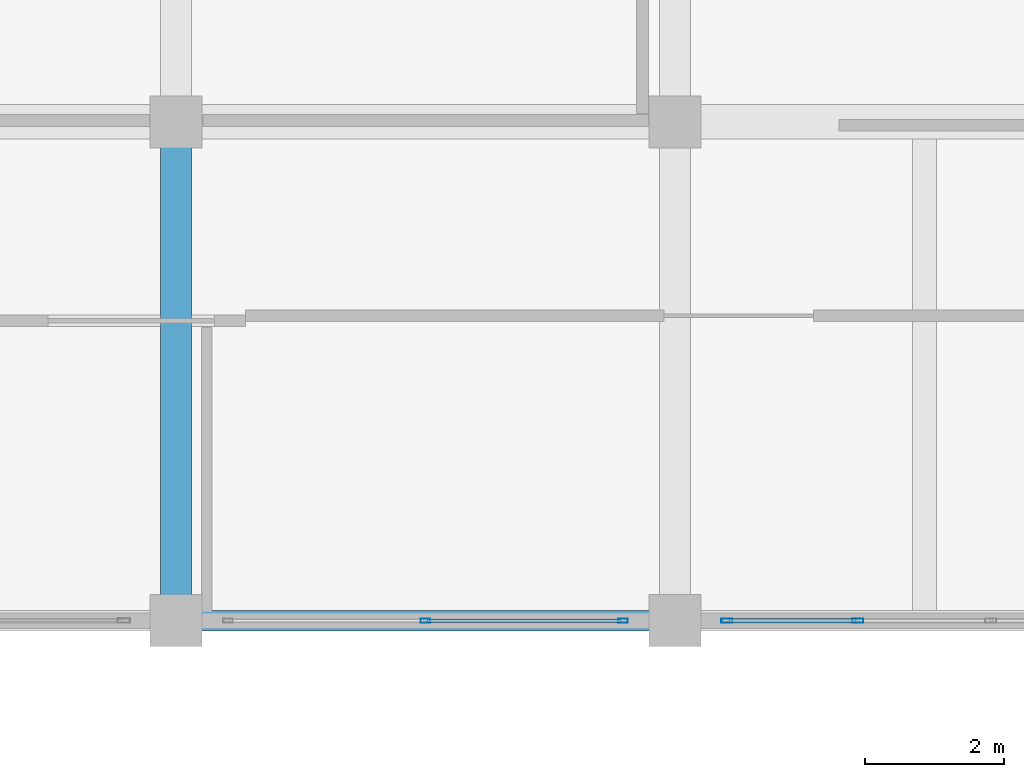
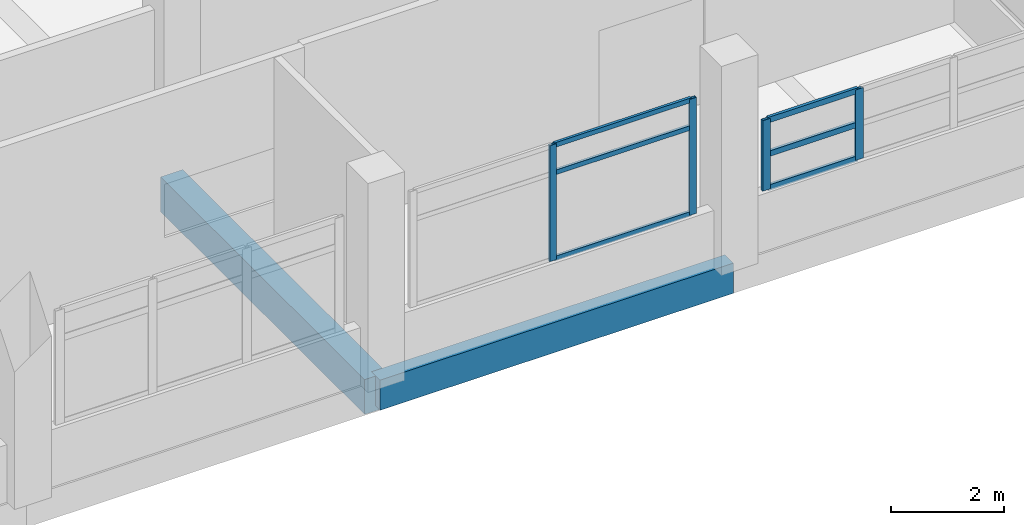
# One storey, part 35 of 141: 10 members, 2 beams, 2 elements without a shape of their own.
"""IFC4 building model written with IfcOpenShell, lengths in metres."""

import ifcopenshell
import ifcopenshell.guid

model = None  # the IFC model being written
_history = None  # IfcOwnerHistory: only IFC2X3 demands one
_inside = {}  # id of a spatial element -> (the spatial element, [elements in it])
_under = {}  # id of a project, library or spatial element -> (it, [spatial elements below it])
_declared = {}  # id of a project -> (the project, [libraries it declares])
_typed = {}  # id of a type object -> (the type object, [elements of that type])
_made_of = {}  # id of a material, layer set ... -> (it, [elements and type objects made of it])


def new_model(schema):
    """Start an empty IFC model of exactly this schema.

    Asked for "IFC4X3", IfcOpenShell would pick the latest addendum, in which some entities
    have other attributes; the version numbers below select the first issue.
    IFC2X3 requires an IfcOwnerHistory on every rooted entity: one is made here for all.
    """
    global model, _history
    if schema == "IFC4X3":
        model = ifcopenshell.file(schema_version=(4, 3, 0, 0))
    else:
        model = ifcopenshell.file(schema=schema)
    _inside.clear()
    _under.clear()
    _declared.clear()
    _typed.clear()
    _made_of.clear()
    _history = None
    if model.schema == "IFC2X3":
        org = make("IfcOrganization", Name="unknown")
        user = make(
            "IfcPersonAndOrganization",
            ThePerson=make("IfcPerson", FamilyName="unknown"),
            TheOrganization=org,
        )
        app = make(
            "IfcApplication",
            ApplicationDeveloper=org,
            Version="unknown",
            ApplicationFullName="unknown",
            ApplicationIdentifier="unknown",
        )
        _history = make(
            "IfcOwnerHistory",
            OwningUser=user,
            OwningApplication=app,
            ChangeAction="ADDED",
            CreationDate=0,
        )
    return model


def make(cls, **values):
    """One entity of the class cls with the attributes given. An attribute that is None is left unset."""
    return model.create_entity(
        cls, **{name: value for name, value in values.items() if value is not None}
    )


def rooted(cls, **values):
    """An entity with a GlobalId (a new one), such as an element, a storey or a relation."""
    return make(cls, GlobalId=ifcopenshell.guid.new(), OwnerHistory=_history, **values)


def si_unit(unit_type, name, prefix=None):
    """IfcSIUnit, for example si_unit("LENGTHUNIT", "METRE", prefix="MILLI")."""
    return make("IfcSIUnit", UnitType=unit_type, Prefix=prefix, Name=name)


def assignment(units):
    """IfcUnitAssignment: the units of a project."""
    return None if units is None else make("IfcUnitAssignment", Units=units)


def point(xyz):
    """IfcCartesianPoint."""
    return None if xyz is None else make("IfcCartesianPoint", Coordinates=xyz)


def direction(xyz):
    """IfcDirection."""
    return None if xyz is None else make("IfcDirection", DirectionRatios=xyz)


def frame(location, z_axis=None, x_axis=None):
    """IfcAxis2Placement3D, a coordinate frame: its origin and axes. An axis left out is left unset."""
    return make(
        "IfcAxis2Placement3D",
        Location=point(location),
        Axis=direction(z_axis),
        RefDirection=direction(x_axis),
    )


def frame_2d(location, x_axis=None):
    """IfcAxis2Placement2D, a coordinate frame in the plane: its origin and x axis."""
    return make(
        "IfcAxis2Placement2D", Location=point(location), RefDirection=direction(x_axis)
    )


def origin():
    """The frame at (0, 0, 0) with its axes left unset."""
    return frame((0.0, 0.0, 0.0))


def origin_2d():
    """The frame at (0, 0) in the plane with its x axis left unset."""
    return frame_2d((0.0, 0.0))


def place(relative_to, where):
    """IfcLocalPlacement: puts the frame where relative to a parent placement (None: the world)."""
    return make(
        "IfcLocalPlacement", PlacementRelTo=relative_to, RelativePlacement=where
    )


def context(
    kind, dimensions, precision=None, world=None, true_north=None, identifier=None
):
    """IfcGeometricRepresentationContext, for example the 3D "Model" context."""
    return make(
        "IfcGeometricRepresentationContext",
        ContextIdentifier=identifier,
        ContextType=kind,
        CoordinateSpaceDimension=dimensions,
        Precision=precision,
        WorldCoordinateSystem=world,
        TrueNorth=true_north,
    )


def subcontext(parent, identifier, kind, view, scale=None):
    """IfcGeometricRepresentationSubContext, for example "Body" below "Model"."""
    return make(
        "IfcGeometricRepresentationSubContext",
        ContextIdentifier=identifier,
        ContextType=kind,
        ParentContext=parent,
        TargetScale=scale,
        TargetView=view,
    )


def project(units=None, contexts=None):
    """IfcProject with its units and contexts."""
    return rooted(
        "IfcProject",
        Name="project",
        RepresentationContexts=contexts,
        UnitsInContext=assignment(units),
    )


def spatial(cls, under=None, at=None, **own):
    """A site, building, storey or space (cls), placed at a placement, below another one or the project."""
    s = rooted(cls, ObjectPlacement=at, **own)
    if under is not None:
        _under.setdefault(under.id(), (under, []))[1].append(s)
    return s


def profile(cls, at=None, kind="AREA", **sizes):
    """A parametric profile (cls). Its sizes go by their IFC names, for example OverallWidth=200.0."""
    return make(cls, ProfileType=kind, Position=at, **sizes)


def rectangle(**sizes):
    """IfcRectangleProfileDef."""
    return profile("IfcRectangleProfileDef", **sizes)


def hollow_rectangle(**sizes):
    """IfcRectangleHollowProfileDef."""
    return profile("IfcRectangleHollowProfileDef", **sizes)


def extrude(swept, where, along, depth):
    """IfcExtrudedAreaSolid: the profile swept, set in the frame where, extruded along a direction by depth."""
    return make(
        "IfcExtrudedAreaSolid",
        SweptArea=swept,
        Position=where,
        ExtrudedDirection=direction(along),
        Depth=depth,
    )


def shape(context_of_items, identifier, shape_type, items):
    """IfcShapeRepresentation: the items that make up one representation, for example the "Body"."""
    return make(
        "IfcShapeRepresentation",
        ContextOfItems=context_of_items,
        RepresentationIdentifier=identifier,
        RepresentationType=shape_type,
        Items=items,
    )


def material(Name=None, Category=None):
    """IfcMaterial."""
    return make("IfcMaterial", Name=Name, Category=Category)


def layer(
    of_material, thickness, ventilated=None, Name=None, Category=None, Priority=None
):
    """IfcMaterialLayer: one layer of a wall or slab, of a material (None: an air gap)."""
    return make(
        "IfcMaterialLayer",
        Material=of_material,
        LayerThickness=thickness,
        IsVentilated=ventilated,
        Name=Name,
        Category=Category,
        Priority=Priority,
    )


def layer_set(layers, Name=None):
    """IfcMaterialLayerSet."""
    return make("IfcMaterialLayerSet", MaterialLayers=layers, LayerSetName=Name)


def material_profile(
    of_material, cross_section, Name=None, Category=None, Priority=None
):
    """IfcMaterialProfile: a cross section and its material."""
    return make(
        "IfcMaterialProfile",
        Name=Name,
        Material=of_material,
        Profile=cross_section,
        Priority=Priority,
        Category=Category,
    )


def profile_set(profiles, Name=None, composite=None):
    """IfcMaterialProfileSet."""
    return make(
        "IfcMaterialProfileSet",
        Name=Name,
        MaterialProfiles=profiles,
        CompositeProfile=composite,
    )


def made_of(thing, what):
    """Note that an element or type object is made of a material, layer set ...; save() writes the relation."""
    if what is not None:
        _made_of.setdefault(what.id(), (what, []))[1].append(thing)
    return thing


def type_object(cls, material=None, **own):
    """A type object (cls), such as IfcWallType, which elements share."""
    return made_of(rooted(cls, **own), material)


def element(
    cls,
    number,
    at=None,
    inside=None,
    cuts=None,
    type_object=None,
    material=None,
    context=None,
    identifier="Body",
    shape_type=None,
    held_by="IfcProductDefinitionShape",
    body=None,
    shapes=None,
    **own,
):
    """One element of the class cls, such as IfcWall. Its Tag is "e" and its number.

    at: its placement. inside: the storey or other place that contains it. cuts: it is an
    opening in that element (IfcRelVoidsElement). A single representation is given by context,
    identifier, shape_type and body (its items); several are given by shapes. held_by: the class
    of the entity that holds the representations. save() writes the other relations.
    """
    e = rooted(cls, Tag="e%d" % number, ObjectPlacement=at, **own)
    if body is not None:
        shapes = [shape(context, identifier, shape_type, body)]
    if shapes is not None:
        e.Representation = make(held_by, Representations=shapes)
    if inside is not None:
        _inside.setdefault(inside.id(), (inside, []))[1].append(e)
    if cuts is not None:
        rooted(
            "IfcRelVoidsElement", RelatingBuildingElement=cuts, RelatedOpeningElement=e
        )
    if type_object is not None:
        _typed.setdefault(type_object.id(), (type_object, []))[1].append(e)
    return made_of(e, material)


def aggregate(whole, parts):
    """IfcRelAggregates: a whole, such as a stair, and the parts it consists of."""
    return rooted("IfcRelAggregates", RelatingObject=whole, RelatedObjects=parts)


def save(model, path):
    """Write the relations noted so far, then the file.

    IfcRelAggregates (storeys below a building ...), IfcRelContainedInSpatialStructure (elements
    in a storey), IfcRelDefinesByType, IfcRelAssociatesMaterial and IfcRelDeclares: one each for
    every whole, place, type object, material and project.
    """
    for whole, parts in _under.values():
        aggregate(whole, parts)
    for where, things in _inside.values():
        rooted(
            "IfcRelContainedInSpatialStructure",
            RelatedElements=things,
            RelatingStructure=where,
        )
    for kind, things in _typed.values():
        rooted("IfcRelDefinesByType", RelatedObjects=things, RelatingType=kind)
    for what, things in _made_of.values():
        rooted("IfcRelAssociatesMaterial", RelatedObjects=things, RelatingMaterial=what)
    for by, libraries in _declared.values():
        rooted("IfcRelDeclares", RelatingContext=by, RelatedDefinitions=libraries)
    model.write(path)


model = new_model("IFC4")

# Units and contexts
model_context = context("Model", 3, precision=1e-05, world=origin(), true_north=direction((0.0, 1.0)))
body_context = subcontext(model_context, "Body", "Model", "MODEL_VIEW")
ifc_project = project(units=[si_unit("LENGTHUNIT", "METRE"), si_unit("AREAUNIT", "SQUARE_METRE"), si_unit("VOLUMEUNIT", "CUBIC_METRE"), si_unit("PLANEANGLEUNIT", "RADIAN"), si_unit("MASSUNIT", "GRAM", prefix="KILO")], contexts=[model_context])

# Site, building, storey
site_placement = place(None, origin())
site = spatial("IfcSite", under=ifc_project, at=site_placement, CompositionType="ELEMENT")
building_placement = place(site_placement, origin())
building = spatial("IfcBuilding", under=site, at=building_placement, Name="Seraya Terrace Polytechnic", CompositionType="ELEMENT")
storey_placement = place(building_placement, frame((0.0, 0.0, 14.39990234375)))
storey = spatial("IfcBuildingStorey", under=building, at=storey_placement, Name="L03", CompositionType="ELEMENT", Elevation=14.39990234375)

# Beam
ifc_material_1 = material(Name="Concrete C40/50", Category="concrete")
ifc_material_profile_1 = material_profile(ifc_material_1, rectangle(XDim=0.449951171875, YDim=0.75, at=origin_2d()), Name="RC 450x750")
ifc_profile_set_1 = profile_set([ifc_material_profile_1], Name="Concrete C40/50")
beam_type_1 = type_object("IfcBeamType", Name="BM-08", PredefinedType="BEAM", material=ifc_profile_set_1)
beam_1_placement = place(storey_placement, frame((100.800048828125, 0.0, -0.375), z_axis=(0.0, 1.0, 0.0), x_axis=(-1.0, 0.0, 0.0)))
element("IfcBeam", 1, at=beam_1_placement, inside=storey, type_object=beam_type_1, Name="Beam BM-08 L03 Y (100.8, 0.0..7.2)", PredefinedType="BEAM", context=body_context, shape_type="SweptSolid", body=[
    extrude(rectangle(XDim=0.449951171875, YDim=0.75, at=origin_2d()), origin(), (0.0, 0.0, 1.0), 7.199951171875),
])

# Curtain wall, members
ifc_material_2 = material(Name="Anodised aluminium EN AW-6063 T6", Category="aluminium")
ifc_layer_1 = layer(ifc_material_2, 0.179931640625, Name="CW-26")
ifc_layer_set_1 = layer_set([ifc_layer_1], Name="Anodised aluminium EN AW-6063 T6")
curtain_wall_type_1 = type_object("IfcCurtainWallType", Name="CW-26", PredefinedType="NOTDEFINED", material=ifc_layer_set_1)
curtain_wall_1_placement = place(storey_placement, origin())
curtain_wall_1 = element("IfcCurtainWall", 2, at=curtain_wall_1_placement, inside=storey, type_object=curtain_wall_type_1, Name="Unitised curtain wall CW-26 (CW-L03-098)", PredefinedType="NOTDEFINED")
ifc_material_profile_2 = material_profile(ifc_material_2, hollow_rectangle(XDim=0.06005859375, YDim=0.159912109375, WallThickness=0.00341796875, at=origin_2d()), Name="RHS 160x60x3.5")
ifc_profile_set_2 = profile_set([ifc_material_profile_2], Name="Anodised aluminium EN AW-6063 T6")
member_type_1 = type_object("IfcMemberType", Name="CWM-02", PredefinedType="MULLION", material=ifc_profile_set_2)
member_1_placement = place(storey_placement, frame((110.639892578125, 0.0, 1.239990234375), z_axis=(0.0, 0.0, 1.0), x_axis=(0.0, -1.0, 0.0)))
member_1 = element("IfcMember", 3, at=member_1_placement, type_object=member_type_1, Name="CW-26 mullion 3", PredefinedType="MULLION", context=body_context, shape_type="SweptSolid", body=[
    extrude(hollow_rectangle(XDim=0.06005859375, YDim=0.159912109375, WallThickness=0.00341796875, at=origin_2d()), origin(), (0.0, 0.0, 1.0), 1.52001953125),
])
member_2_placement = place(storey_placement, frame((108.75, 0.0, 1.239990234375), z_axis=(0.0, 0.0, 1.0), x_axis=(0.0, -1.0, 0.0)))
member_2 = element("IfcMember", 4, at=member_2_placement, type_object=member_type_1, Name="CW-26 mullion 4", PredefinedType="MULLION", context=body_context, shape_type="SweptSolid", body=[
    extrude(hollow_rectangle(XDim=0.06005859375, YDim=0.159912109375, WallThickness=0.00341796875, at=origin_2d()), origin(), (0.0, 0.0, 1.0), 1.52001953125),
])

ifc_layer_2 = layer(ifc_material_2, 0.179931640625, Name="CW-27")
ifc_layer_set_2 = layer_set([ifc_layer_2], Name="Anodised aluminium EN AW-6063 T6")
curtain_wall_type_2 = type_object("IfcCurtainWallType", Name="CW-27", PredefinedType="NOTDEFINED", material=ifc_layer_set_2)
curtain_wall_2_placement = place(storey_placement, origin())
curtain_wall_2 = element("IfcCurtainWall", 5, at=curtain_wall_2_placement, inside=storey, type_object=curtain_wall_type_2, Name="Unitised curtain wall CW-27 (CW-L03-099)", PredefinedType="NOTDEFINED")
ifc_material_profile_3 = material_profile(ifc_material_2, hollow_rectangle(XDim=0.06005859375, YDim=0.139892578125, WallThickness=0.00341796875, at=origin_2d()), Name="RHS 140x60x3.5")
ifc_profile_set_3 = profile_set([ifc_material_profile_3], Name="Anodised aluminium EN AW-6063 T6")
member_type_2 = type_object("IfcMemberType", Name="CWM-03", PredefinedType="MULLION", material=ifc_profile_set_3)
member_3_placement = place(storey_placement, frame((107.25, 0.0, 1.239990234375), z_axis=(0.0, 0.0, 1.0), x_axis=(0.0, -1.0, 0.0)))
member_3 = element("IfcMember", 6, at=member_3_placement, type_object=member_type_2, Name="CW-27 mullion 1", PredefinedType="MULLION", context=body_context, shape_type="SweptSolid", body=[
    extrude(hollow_rectangle(XDim=0.06005859375, YDim=0.139892578125, WallThickness=0.00341796875, at=origin_2d()), origin(), (0.0, 0.0, 1.0), 2.5),
])
member_4_placement = place(storey_placement, frame((104.39990234375, 0.0, 1.239990234375), z_axis=(0.0, 0.0, 1.0), x_axis=(0.0, -1.0, 0.0)))
member_4 = element("IfcMember", 7, at=member_4_placement, type_object=member_type_2, Name="CW-27 mullion 2", PredefinedType="MULLION", context=body_context, shape_type="SweptSolid", body=[
    extrude(hollow_rectangle(XDim=0.06005859375, YDim=0.139892578125, WallThickness=0.00341796875, at=origin_2d()), origin(), (0.0, 0.0, 1.0), 2.5),
])

# Member
ifc_material_profile_4 = material_profile(ifc_material_2, hollow_rectangle(XDim=0.06005859375, YDim=0.1201171875, WallThickness=0.003173828125, at=origin_2d()), Name="RHS 120x60x3.2")
ifc_profile_set_4 = profile_set([ifc_material_profile_4], Name="Anodised aluminium EN AW-6063 T6")
member_type_3 = type_object("IfcMemberType", Name="CWT-02", PredefinedType="USERDEFINED", material=ifc_profile_set_4)
member_5_placement = place(storey_placement, frame((110.610107421875, 0.0, 1.27001953125), z_axis=(-1.0, 0.0, 0.0), x_axis=(0.0, -1.0, 0.0)))
member_5 = element("IfcMember", 8, at=member_5_placement, type_object=member_type_3, Name="CW-26 transom 3.1", ObjectType="TRANSOM", PredefinedType="USERDEFINED", context=body_context, shape_type="SweptSolid", body=[
    extrude(hollow_rectangle(XDim=0.06005859375, YDim=0.1201171875, WallThickness=0.003173828125, at=origin_2d()), origin(), (0.0, 0.0, 1.0), 1.830078125),
])

member_6_placement = place(storey_placement, frame((110.610107421875, 0.0, 2.0), z_axis=(-1.0, 0.0, 0.0), x_axis=(0.0, -1.0, 0.0)))
member_6 = element("IfcMember", 9, at=member_6_placement, type_object=member_type_3, Name="CW-26 transom 3.2", ObjectType="TRANSOM", PredefinedType="USERDEFINED", context=body_context, shape_type="SweptSolid", body=[
    extrude(hollow_rectangle(XDim=0.06005859375, YDim=0.1201171875, WallThickness=0.003173828125, at=origin_2d()), origin(), (0.0, 0.0, 1.0), 1.830078125),
])

member_7_placement = place(storey_placement, frame((110.610107421875, 0.0, 2.72998046875), z_axis=(-1.0, 0.0, 0.0), x_axis=(0.0, -1.0, 0.0)))
member_7 = element("IfcMember", 10, at=member_7_placement, type_object=member_type_3, Name="CW-26 transom 3.3", ObjectType="TRANSOM", PredefinedType="USERDEFINED", context=body_context, shape_type="SweptSolid", body=[
    extrude(hollow_rectangle(XDim=0.06005859375, YDim=0.1201171875, WallThickness=0.003173828125, at=origin_2d()), origin(), (0.0, 0.0, 1.0), 1.830078125),
])

aggregate(curtain_wall_1, [member_1, member_2, member_5, member_6, member_7])

ifc_material_profile_5 = material_profile(ifc_material_2, hollow_rectangle(XDim=0.054931640625, YDim=0.10009765625, WallThickness=0.0029296875, at=origin_2d()), Name="RHS 100x55x3.0")
ifc_profile_set_5 = profile_set([ifc_material_profile_5], Name="Anodised aluminium EN AW-6063 T6")
member_type_4 = type_object("IfcMemberType", Name="CWT-03", PredefinedType="USERDEFINED", material=ifc_profile_set_5)
member_8_placement = place(storey_placement, frame((107.219970703125, 0.0, 1.267578125), z_axis=(-1.0, 0.0, 0.0), x_axis=(0.0, -1.0, 0.0)))
member_8 = element("IfcMember", 11, at=member_8_placement, type_object=member_type_4, Name="CW-27 transom 1.1", ObjectType="TRANSOM", PredefinedType="USERDEFINED", context=body_context, shape_type="SweptSolid", body=[
    extrude(hollow_rectangle(XDim=0.054931640625, YDim=0.10009765625, WallThickness=0.0029296875, at=origin_2d()), origin(), (0.0, 0.0, 1.0), 2.7900390625),
])

member_9_placement = place(storey_placement, frame((107.219970703125, 0.0, 3.1201171875), z_axis=(-1.0, 0.0, 0.0), x_axis=(0.0, -1.0, 0.0)))
member_9 = element("IfcMember", 12, at=member_9_placement, type_object=member_type_4, Name="CW-27 transom 1.2", ObjectType="TRANSOM", PredefinedType="USERDEFINED", context=body_context, shape_type="SweptSolid", body=[
    extrude(hollow_rectangle(XDim=0.054931640625, YDim=0.10009765625, WallThickness=0.0029296875, at=origin_2d()), origin(), (0.0, 0.0, 1.0), 2.7900390625),
])

member_10_placement = place(storey_placement, frame((107.219970703125, 0.0, 3.712646484375), z_axis=(-1.0, 0.0, 0.0), x_axis=(0.0, -1.0, 0.0)))
member_10 = element("IfcMember", 13, at=member_10_placement, type_object=member_type_4, Name="CW-27 transom 1.3", ObjectType="TRANSOM", PredefinedType="USERDEFINED", context=body_context, shape_type="SweptSolid", body=[
    extrude(hollow_rectangle(XDim=0.054931640625, YDim=0.10009765625, WallThickness=0.0029296875, at=origin_2d()), origin(), (0.0, 0.0, 1.0), 2.7900390625),
])

aggregate(curtain_wall_2, [member_3, member_4, member_8, member_9, member_10])

# Beam
ifc_material_profile_6 = material_profile(ifc_material_1, rectangle(XDim=0.300048828125, YDim=0.64990234375, at=origin_2d()), Name="RC 300x650")
ifc_profile_set_6 = profile_set([ifc_material_profile_6], Name="Concrete C40/50")
beam_type_2 = type_object("IfcBeamType", Name="SP-01", PredefinedType="SPANDREL", material=ifc_profile_set_6)
beam_2_placement = place(storey_placement, frame((100.800048828125, 0.0, -0.324951171875), z_axis=(1.0, 0.0, 0.0), x_axis=(0.0, 1.0, 0.0)))
element("IfcBeam", 14, at=beam_2_placement, inside=storey, type_object=beam_type_2, Name="Beam SP-01 L03 X (100.8..108.0, 0.0)", PredefinedType="SPANDREL", context=body_context, shape_type="SweptSolid", body=[
    extrude(rectangle(XDim=0.300048828125, YDim=0.64990234375, at=origin_2d()), origin(), (0.0, 0.0, 1.0), 7.199951171875),
])

save(model, "model.ifc")
